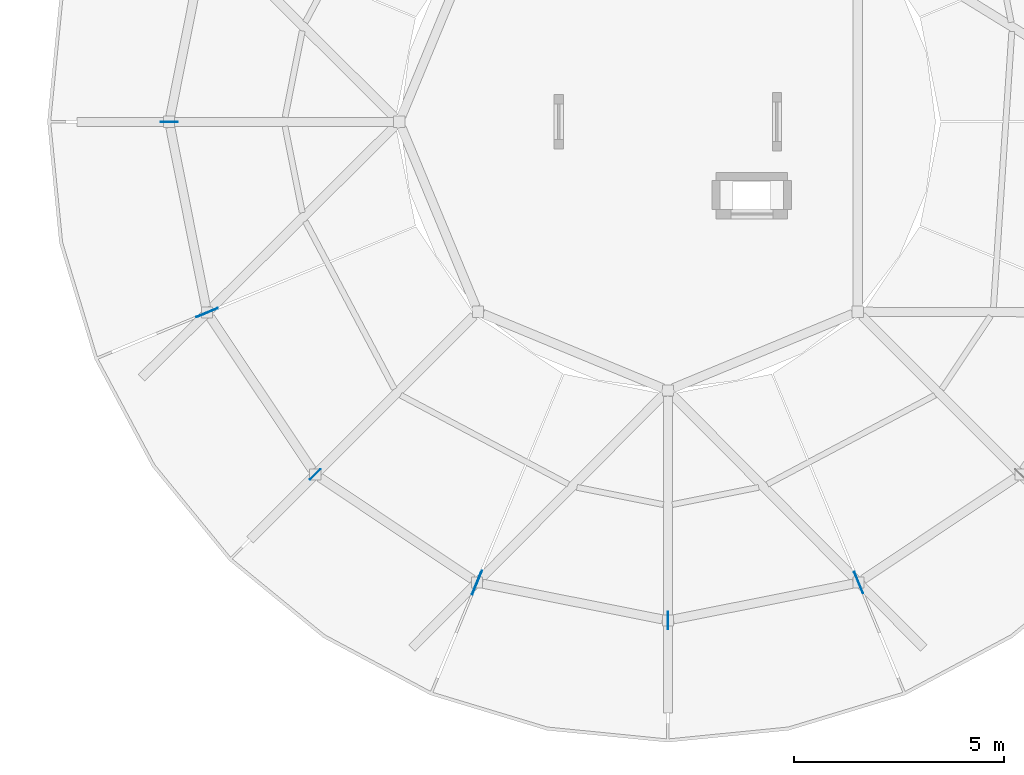
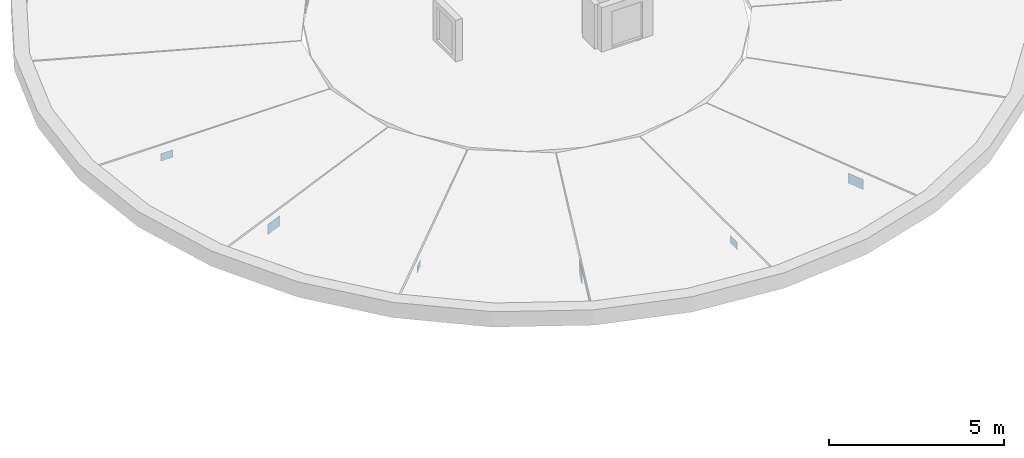
# One storey, part 12 of 30: 6 plates.
"""IFC4 building model written with IfcOpenShell, lengths in metres."""

import ifcopenshell
import ifcopenshell.guid

model = None  # the IFC model being written
_history = None  # IfcOwnerHistory: only IFC2X3 demands one
_inside = {}  # id of a spatial element -> (the spatial element, [elements in it])
_under = {}  # id of a project, library or spatial element -> (it, [spatial elements below it])
_declared = {}  # id of a project -> (the project, [libraries it declares])
_typed = {}  # id of a type object -> (the type object, [elements of that type])
_made_of = {}  # id of a material, layer set ... -> (it, [elements and type objects made of it])


def new_model(schema):
    """Start an empty IFC model of exactly this schema.

    Asked for "IFC4X3", IfcOpenShell would pick the latest addendum, in which some entities
    have other attributes; the version numbers below select the first issue.
    IFC2X3 requires an IfcOwnerHistory on every rooted entity: one is made here for all.
    """
    global model, _history
    if schema == "IFC4X3":
        model = ifcopenshell.file(schema_version=(4, 3, 0, 0))
    else:
        model = ifcopenshell.file(schema=schema)
    _inside.clear()
    _under.clear()
    _declared.clear()
    _typed.clear()
    _made_of.clear()
    _history = None
    if model.schema == "IFC2X3":
        org = make("IfcOrganization", Name="unknown")
        user = make(
            "IfcPersonAndOrganization",
            ThePerson=make("IfcPerson", FamilyName="unknown"),
            TheOrganization=org,
        )
        app = make(
            "IfcApplication",
            ApplicationDeveloper=org,
            Version="unknown",
            ApplicationFullName="unknown",
            ApplicationIdentifier="unknown",
        )
        _history = make(
            "IfcOwnerHistory",
            OwningUser=user,
            OwningApplication=app,
            ChangeAction="ADDED",
            CreationDate=0,
        )
    return model


def make(cls, **values):
    """One entity of the class cls with the attributes given. An attribute that is None is left unset."""
    return model.create_entity(
        cls, **{name: value for name, value in values.items() if value is not None}
    )


def rooted(cls, **values):
    """An entity with a GlobalId (a new one), such as an element, a storey or a relation."""
    return make(cls, GlobalId=ifcopenshell.guid.new(), OwnerHistory=_history, **values)


def si_unit(unit_type, name, prefix=None):
    """IfcSIUnit, for example si_unit("LENGTHUNIT", "METRE", prefix="MILLI")."""
    return make("IfcSIUnit", UnitType=unit_type, Prefix=prefix, Name=name)


def assignment(units):
    """IfcUnitAssignment: the units of a project."""
    return None if units is None else make("IfcUnitAssignment", Units=units)


def point(xyz):
    """IfcCartesianPoint."""
    return None if xyz is None else make("IfcCartesianPoint", Coordinates=xyz)


def direction(xyz):
    """IfcDirection."""
    return None if xyz is None else make("IfcDirection", DirectionRatios=xyz)


def frame(location, z_axis=None, x_axis=None):
    """IfcAxis2Placement3D, a coordinate frame: its origin and axes. An axis left out is left unset."""
    return make(
        "IfcAxis2Placement3D",
        Location=point(location),
        Axis=direction(z_axis),
        RefDirection=direction(x_axis),
    )


def frame_2d(location, x_axis=None):
    """IfcAxis2Placement2D, a coordinate frame in the plane: its origin and x axis."""
    return make(
        "IfcAxis2Placement2D", Location=point(location), RefDirection=direction(x_axis)
    )


def origin():
    """The frame at (0, 0, 0) with its axes left unset."""
    return frame((0.0, 0.0, 0.0))


def origin_2d():
    """The frame at (0, 0) in the plane with its x axis left unset."""
    return frame_2d((0.0, 0.0))


def place(relative_to, where):
    """IfcLocalPlacement: puts the frame where relative to a parent placement (None: the world)."""
    return make(
        "IfcLocalPlacement", PlacementRelTo=relative_to, RelativePlacement=where
    )


def context(
    kind, dimensions, precision=None, world=None, true_north=None, identifier=None
):
    """IfcGeometricRepresentationContext, for example the 3D "Model" context."""
    return make(
        "IfcGeometricRepresentationContext",
        ContextIdentifier=identifier,
        ContextType=kind,
        CoordinateSpaceDimension=dimensions,
        Precision=precision,
        WorldCoordinateSystem=world,
        TrueNorth=true_north,
    )


def subcontext(parent, identifier, kind, view, scale=None):
    """IfcGeometricRepresentationSubContext, for example "Body" below "Model"."""
    return make(
        "IfcGeometricRepresentationSubContext",
        ContextIdentifier=identifier,
        ContextType=kind,
        ParentContext=parent,
        TargetScale=scale,
        TargetView=view,
    )


def project(units=None, contexts=None):
    """IfcProject with its units and contexts."""
    return rooted(
        "IfcProject",
        Name="project",
        RepresentationContexts=contexts,
        UnitsInContext=assignment(units),
    )


def spatial(cls, under=None, at=None, **own):
    """A site, building, storey or space (cls), placed at a placement, below another one or the project."""
    s = rooted(cls, ObjectPlacement=at, **own)
    if under is not None:
        _under.setdefault(under.id(), (under, []))[1].append(s)
    return s


def profile(cls, at=None, kind="AREA", **sizes):
    """A parametric profile (cls). Its sizes go by their IFC names, for example OverallWidth=200.0."""
    return make(cls, ProfileType=kind, Position=at, **sizes)


def rectangle(**sizes):
    """IfcRectangleProfileDef."""
    return profile("IfcRectangleProfileDef", **sizes)


def extrude(swept, where, along, depth):
    """IfcExtrudedAreaSolid: the profile swept, set in the frame where, extruded along a direction by depth."""
    return make(
        "IfcExtrudedAreaSolid",
        SweptArea=swept,
        Position=where,
        ExtrudedDirection=direction(along),
        Depth=depth,
    )


def shape(context_of_items, identifier, shape_type, items):
    """IfcShapeRepresentation: the items that make up one representation, for example the "Body"."""
    return make(
        "IfcShapeRepresentation",
        ContextOfItems=context_of_items,
        RepresentationIdentifier=identifier,
        RepresentationType=shape_type,
        Items=items,
    )


def material(Name=None, Category=None):
    """IfcMaterial."""
    return make("IfcMaterial", Name=Name, Category=Category)


def layer(
    of_material, thickness, ventilated=None, Name=None, Category=None, Priority=None
):
    """IfcMaterialLayer: one layer of a wall or slab, of a material (None: an air gap)."""
    return make(
        "IfcMaterialLayer",
        Material=of_material,
        LayerThickness=thickness,
        IsVentilated=ventilated,
        Name=Name,
        Category=Category,
        Priority=Priority,
    )


def layer_set(layers, Name=None):
    """IfcMaterialLayerSet."""
    return make("IfcMaterialLayerSet", MaterialLayers=layers, LayerSetName=Name)


def made_of(thing, what):
    """Note that an element or type object is made of a material, layer set ...; save() writes the relation."""
    if what is not None:
        _made_of.setdefault(what.id(), (what, []))[1].append(thing)
    return thing


def type_object(cls, material=None, **own):
    """A type object (cls), such as IfcWallType, which elements share."""
    return made_of(rooted(cls, **own), material)


def element(
    cls,
    number,
    at=None,
    inside=None,
    cuts=None,
    type_object=None,
    material=None,
    context=None,
    identifier="Body",
    shape_type=None,
    held_by="IfcProductDefinitionShape",
    body=None,
    shapes=None,
    **own,
):
    """One element of the class cls, such as IfcWall. Its Tag is "e" and its number.

    at: its placement. inside: the storey or other place that contains it. cuts: it is an
    opening in that element (IfcRelVoidsElement). A single representation is given by context,
    identifier, shape_type and body (its items); several are given by shapes. held_by: the class
    of the entity that holds the representations. save() writes the other relations.
    """
    e = rooted(cls, Tag="e%d" % number, ObjectPlacement=at, **own)
    if body is not None:
        shapes = [shape(context, identifier, shape_type, body)]
    if shapes is not None:
        e.Representation = make(held_by, Representations=shapes)
    if inside is not None:
        _inside.setdefault(inside.id(), (inside, []))[1].append(e)
    if cuts is not None:
        rooted(
            "IfcRelVoidsElement", RelatingBuildingElement=cuts, RelatedOpeningElement=e
        )
    if type_object is not None:
        _typed.setdefault(type_object.id(), (type_object, []))[1].append(e)
    return made_of(e, material)


def aggregate(whole, parts):
    """IfcRelAggregates: a whole, such as a stair, and the parts it consists of."""
    return rooted("IfcRelAggregates", RelatingObject=whole, RelatedObjects=parts)


def save(model, path):
    """Write the relations noted so far, then the file.

    IfcRelAggregates (storeys below a building ...), IfcRelContainedInSpatialStructure (elements
    in a storey), IfcRelDefinesByType, IfcRelAssociatesMaterial and IfcRelDeclares: one each for
    every whole, place, type object, material and project.
    """
    for whole, parts in _under.values():
        aggregate(whole, parts)
    for where, things in _inside.values():
        rooted(
            "IfcRelContainedInSpatialStructure",
            RelatedElements=things,
            RelatingStructure=where,
        )
    for kind, things in _typed.values():
        rooted("IfcRelDefinesByType", RelatedObjects=things, RelatingType=kind)
    for what, things in _made_of.values():
        rooted("IfcRelAssociatesMaterial", RelatedObjects=things, RelatingMaterial=what)
    for by, libraries in _declared.values():
        rooted("IfcRelDeclares", RelatingContext=by, RelatedDefinitions=libraries)
    model.write(path)


model = new_model("IFC4")

# Units and contexts
model_context = context("Model", 3, precision=1e-05, world=origin(), true_north=direction((0.0, 1.0)))
body_context = subcontext(model_context, "Body", "Model", "MODEL_VIEW")
ifc_project = project(units=[si_unit("LENGTHUNIT", "METRE"), si_unit("AREAUNIT", "SQUARE_METRE"), si_unit("VOLUMEUNIT", "CUBIC_METRE"), si_unit("PLANEANGLEUNIT", "RADIAN"), si_unit("MASSUNIT", "GRAM", prefix="KILO")], contexts=[model_context])

# Site, building, storey
site_placement = place(None, origin())
site = spatial("IfcSite", under=ifc_project, at=site_placement, CompositionType="ELEMENT")
building_placement = place(site_placement, origin())
building = spatial("IfcBuilding", under=site, at=building_placement, Name="Aldenvaro Health Centre", CompositionType="ELEMENT")
storey_placement = place(building_placement, frame((0.0, 0.0, 17.14990234375)))
storey = spatial("IfcBuildingStorey", under=building, at=storey_placement, Name="L04", CompositionType="ELEMENT", Elevation=17.14990234375)

# Plates
ifc_material = material(Name="Steel ASTM A572 Grade 50", Category="steel")
ifc_layer_1 = layer(ifc_material, 0.013916015625, Name="Steel ASTM A572 Grade 50", Category="steel")
ifc_layer_set_1 = layer_set([ifc_layer_1], Name="Steel ASTM A572 Grade 50")
plate_type_1 = type_object("IfcPlateType", Name="PLT-GUS-07", PredefinedType="SHEET", material=ifc_layer_set_1)
for number, where, z_axis, x_axis, name in (
    (1, (142.6201171875, 99.5, 0.2431640625), (0.0, 0.0, 1.0), (-1.0, 0.0, 0.0), "D2 Rafter Eave Gusset 09"),
    (2, (154.5, 87.6201171875, 0.2431640625), (0.0, 0.0, 1.0), (0.0, -1.0, 0.0), "D2 Rafter Eave Gusset 13"),
):
    element("IfcPlate", number, at=place(storey_placement, frame(where, z_axis=z_axis, x_axis=x_axis)), inside=storey, type_object=plate_type_1, Name=name, PredefinedType="SHEET", context=body_context, shape_type="SweptSolid", body=[
        extrude(rectangle(XDim=0.409912109375, YDim=0.013916015625, at=origin_2d()), origin(), (0.0, 0.0, 1.0), 0.260009765625),
    ])
ifc_layer_2 = layer(ifc_material, 0.01904296875, Name="Steel ASTM A572 Grade 50", Category="steel")
ifc_layer_set_2 = layer_set([ifc_layer_2], Name="Steel ASTM A572 Grade 50")
plate_type_2 = type_object("IfcPlateType", Name="PLT-GUS-08", PredefinedType="SHEET", material=ifc_layer_set_2)
for number, where, z_axis, x_axis, name in (
    (3, (143.52392578125, 94.9541015625, 0.197998046875), (0.0, 0.0, 1.0), (-0.9238916759, -0.382654114316, 0.0), "D2 Rafter Eave Gusset 10"),
    (4, (159.0458984375, 88.52392578125, 0.197998046875), (0.0, 0.0, 1.0), (0.382654114316, -0.9238916759, 0.0), "D2 Rafter Eave Gusset 14"),
):
    element("IfcPlate", number, at=place(storey_placement, frame(where, z_axis=z_axis, x_axis=x_axis)), inside=storey, type_object=plate_type_2, Name=name, PredefinedType="SHEET", context=body_context, shape_type="SweptSolid", body=[
        extrude(rectangle(XDim=0.550048828125, YDim=0.01904296875, at=origin_2d()), origin(), (0.0, 0.0, 1.0), 0.35009765625),
    ])
ifc_layer_3 = layer(ifc_material, 0.011962890625, Name="Steel ASTM A572 Grade 50", Category="steel")
ifc_layer_set_3 = layer_set([ifc_layer_3], Name="Steel ASTM A572 Grade 50")
plate_type_3 = type_object("IfcPlateType", Name="PLT-GUS-09", PredefinedType="SHEET", material=ifc_layer_set_3)
plate_1_placement = place(storey_placement, frame((146.10009765625, 91.10009765625, 0.26318359375), z_axis=(0.0, 0.0, 1.0), x_axis=(-0.707106781187, -0.707106781187, 0.0)))
element("IfcPlate", 5, at=plate_1_placement, inside=storey, type_object=plate_type_3, Name="D2 Rafter Eave Gusset 11", PredefinedType="SHEET", context=body_context, shape_type="SweptSolid", body=[
    extrude(rectangle(XDim=0.35009765625, YDim=0.011962890625, at=origin_2d()), origin(), (0.0, 0.0, 1.0), 0.219970703125),
])
ifc_layer_4 = layer(ifc_material, 0.02099609375, Name="Steel ASTM A572 Grade 50", Category="steel")
ifc_layer_set_4 = layer_set([ifc_layer_4], Name="Steel ASTM A572 Grade 50")
plate_type_4 = type_object("IfcPlateType", Name="PLT-GUS-10", PredefinedType="SHEET", material=ifc_layer_set_4)
plate_2_placement = place(storey_placement, frame((149.9541015625, 88.52392578125, 0.173095703125), z_axis=(0.0, 0.0, 1.0), x_axis=(-0.382654114316, -0.9238916759, 0.0)))
element("IfcPlate", 6, at=plate_2_placement, inside=storey, type_object=plate_type_4, Name="D2 Rafter Eave Gusset 12", PredefinedType="SHEET", context=body_context, shape_type="SweptSolid", body=[
    extrude(rectangle(XDim=0.610107421875, YDim=0.02099609375, at=origin_2d()), origin(), (0.0, 0.0, 1.0), 0.39990234375),
])

save(model, "model.ifc")
